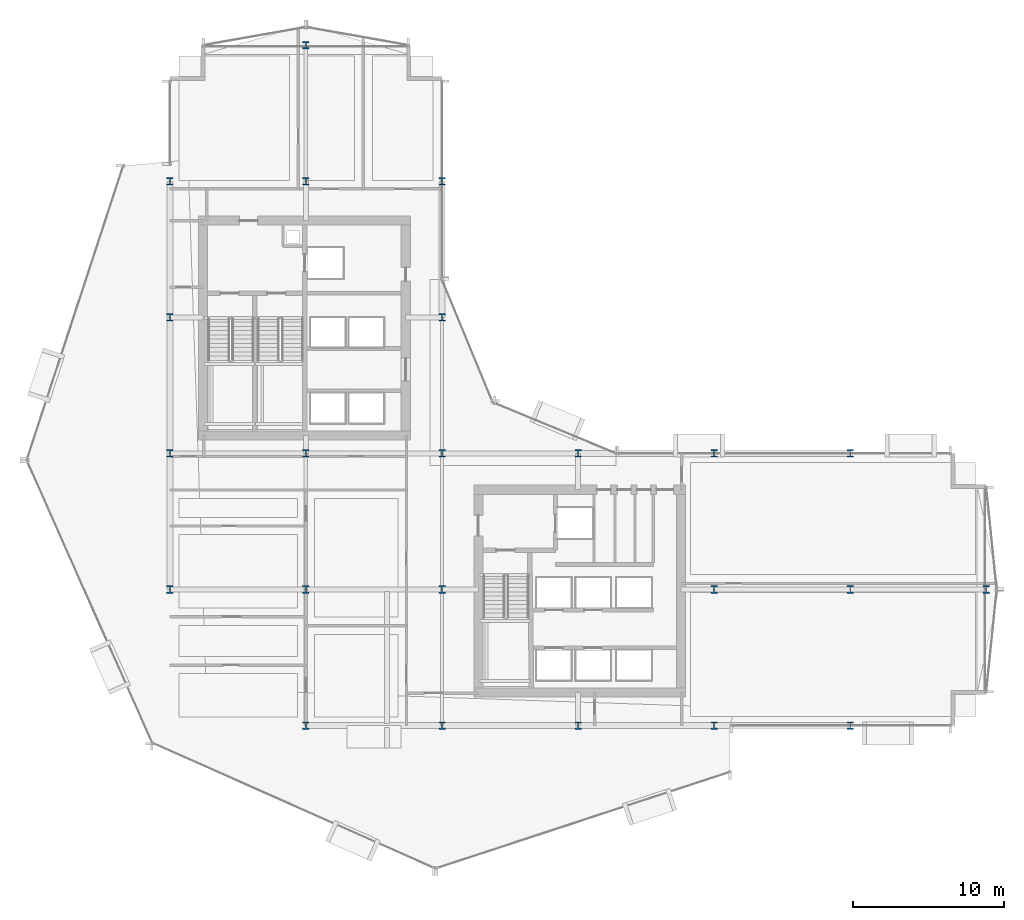
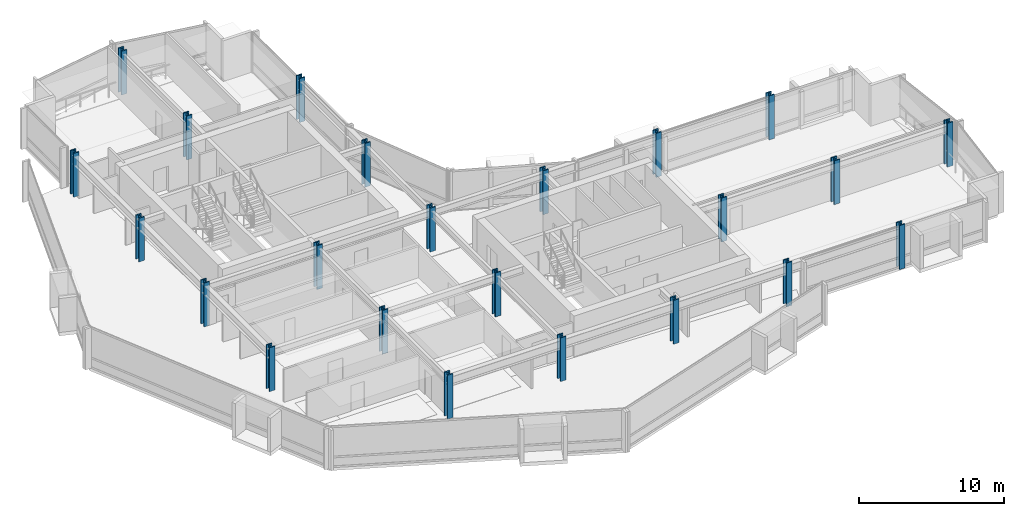
# One storey, part 1 of 34: 23 columns.
"""IFC4 building model written with IfcOpenShell, lengths in metres."""

from ifc_helpers import new_model, si_unit, direction, frame, origin, origin_2d, place, context, subcontext, project, spatial, i_section, extrude, material, material_profile, profile_set, type_object, element, save


model = new_model("IFC4")

# Units and contexts
model_context = context("Model", 3, precision=1e-05, world=origin(), true_north=direction((0.0, 1.0)))
body_context = subcontext(model_context, "Body", "Model", "MODEL_VIEW")
ifc_project = project(units=[si_unit("LENGTHUNIT", "METRE"), si_unit("AREAUNIT", "SQUARE_METRE"), si_unit("VOLUMEUNIT", "CUBIC_METRE"), si_unit("PLANEANGLEUNIT", "RADIAN"), si_unit("MASSUNIT", "GRAM", prefix="KILO")], contexts=[model_context])

# Site, building, storey
site_placement = place(None, origin())
site = spatial("IfcSite", under=ifc_project, at=site_placement, CompositionType="ELEMENT")
building_placement = place(site_placement, origin())
building = spatial("IfcBuilding", under=site, at=building_placement, Name="Solvaryn Broadcast Tower", CompositionType="ELEMENT")
storey_placement = place(building_placement, frame((0.0, 0.0, 58.199951171875)))
storey = spatial("IfcBuildingStorey", under=building, at=storey_placement, Name="L13", CompositionType="ELEMENT", Elevation=58.199951171875)

# Columns
ifc_material_1 = material(Name="Steel ASTM A913 Grade 65", Category="steel")
ifc_material_profile_1 = material_profile(ifc_material_1, i_section(OverallWidth=0.431884765625, OverallDepth=0.498046875, WebThickness=0.0556640625, FlangeThickness=0.0888671875, FilletRadius=0.014892578125, at=origin_2d()))
ifc_profile_set_1 = profile_set([ifc_material_profile_1], Name="Steel ASTM A913 Grade 65")
column_type_1 = type_object("IfcColumnType", Name="COL-C03E-W14X500", PredefinedType="COLUMN", material=ifc_profile_set_1)
for number, where, z_axis, x_axis, name in (
    (1, (9.0, 18.0, 0.0), (0.0, 0.0, 1.0), (1.0, 0.0, 0.0), "L13 Column (9.0, 18.0)"),
    (2, (9.0, 27.0, 0.0), (0.0, 0.0, 1.0), (1.0, 0.0, 0.0), "L13 Column (9.0, 27.0)"),
    (3, (9.0, 36.0, 0.0), (0.0, 0.0, 1.0), (1.0, 0.0, 0.0), "L13 Column (9.0, 36.0)"),
    (4, (9.0, 45.0, 0.0), (0.0, 0.0, 1.0), (1.0, 0.0, 0.0), "L13 Column (9.0, 45.0)"),
    (5, (18.0, 9.0, 0.0), (0.0, 0.0, 1.0), (1.0, 0.0, 0.0), "L13 Column (18.0, 9.0)"),
    (6, (18.0, 54.0, 0.0), (0.0, 0.0, 1.0), (1.0, 0.0, 0.0), "L13 Column (18.0, 54.0)"),
    (7, (27.0, 9.0, 0.0), (0.0, 0.0, 1.0), (1.0, 0.0, 0.0), "L13 Column (27.0, 9.0)"),
    (8, (27.0, 36.0, 0.0), (0.0, 0.0, 1.0), (1.0, 0.0, 0.0), "L13 Column (27.0, 36.0)"),
    (9, (27.0, 45.0, 0.0), (0.0, 0.0, 1.0), (1.0, 0.0, 0.0), "L13 Column (27.0, 45.0)"),
    (10, (36.0, 9.0, 0.0), (0.0, 0.0, 1.0), (1.0, 0.0, 0.0), "L13 Column (36.0, 9.0)"),
    (11, (36.0, 27.0, 0.0), (0.0, 0.0, 1.0), (1.0, 0.0, 0.0), "L13 Column (36.0, 27.0)"),
    (12, (45.0, 9.0, 0.0), (0.0, 0.0, 1.0), (1.0, 0.0, 0.0), "L13 Column (45.0, 9.0)"),
    (13, (45.0, 27.0, 0.0), (0.0, 0.0, 1.0), (1.0, 0.0, 0.0), "L13 Column (45.0, 27.0)"),
    (14, (54.0, 9.0, 0.0), (0.0, 0.0, 1.0), (1.0, 0.0, 0.0), "L13 Column (54.0, 9.0)"),
    (15, (54.0, 27.0, 0.0), (0.0, 0.0, 1.0), (1.0, 0.0, 0.0), "L13 Column (54.0, 27.0)"),
    (16, (63.0, 18.0, 0.0), (0.0, 0.0, 1.0), (1.0, 0.0, 0.0), "L13 Column (63.0, 18.0)"),
):
    element("IfcColumn", number, at=place(storey_placement, frame(where, z_axis=z_axis, x_axis=x_axis)), inside=storey, type_object=column_type_1, Name=name, PredefinedType="COLUMN", context=body_context, shape_type="SweptSolid", body=[
        extrude(i_section(OverallWidth=0.431884765625, OverallDepth=0.498046875, WebThickness=0.0556640625, FlangeThickness=0.0888671875, FilletRadius=0.014892578125, at=origin_2d()), origin(), (0.0, 0.0, 1.0), 3.699951171875),
    ])
ifc_material_2 = material(Name="Steel ASTM A913 Grade 65", Category="steel")
ifc_material_profile_2 = material_profile(ifc_material_2, i_section(OverallWidth=0.431884765625, OverallDepth=0.498046875, WebThickness=0.0556640625, FlangeThickness=0.0888671875, FilletRadius=0.014892578125, at=origin_2d()))
ifc_profile_set_2 = profile_set([ifc_material_profile_2], Name="Steel ASTM A913 Grade 65")
column_type_2 = type_object("IfcColumnType", Name="COL-C03I-W14X500", PredefinedType="COLUMN", material=ifc_profile_set_2)
for number, where, z_axis, x_axis, name in (
    (17, (18.0, 18.0, 0.0), (0.0, 0.0, 1.0), (1.0, 0.0, 0.0), "L13 Column (18.0, 18.0)"),
    (18, (18.0, 27.0, 0.0), (0.0, 0.0, 1.0), (1.0, 0.0, 0.0), "L13 Column (18.0, 27.0)"),
    (19, (18.0, 45.0, 0.0), (0.0, 0.0, 1.0), (1.0, 0.0, 0.0), "L13 Column (18.0, 45.0)"),
    (20, (27.0, 18.0, 0.0), (0.0, 0.0, 1.0), (1.0, 0.0, 0.0), "L13 Column (27.0, 18.0)"),
    (21, (27.0, 27.0, 0.0), (0.0, 0.0, 1.0), (1.0, 0.0, 0.0), "L13 Column (27.0, 27.0)"),
    (22, (45.0, 18.0, 0.0), (0.0, 0.0, 1.0), (1.0, 0.0, 0.0), "L13 Column (45.0, 18.0)"),
    (23, (54.0, 18.0, 0.0), (0.0, 0.0, 1.0), (1.0, 0.0, 0.0), "L13 Column (54.0, 18.0)"),
):
    element("IfcColumn", number, at=place(storey_placement, frame(where, z_axis=z_axis, x_axis=x_axis)), inside=storey, type_object=column_type_2, Name=name, PredefinedType="COLUMN", context=body_context, shape_type="SweptSolid", body=[
        extrude(i_section(OverallWidth=0.431884765625, OverallDepth=0.498046875, WebThickness=0.0556640625, FlangeThickness=0.0888671875, FilletRadius=0.014892578125, at=origin_2d()), origin(), (0.0, 0.0, 1.0), 3.699951171875),
    ])

save(model, "model.ifc")
